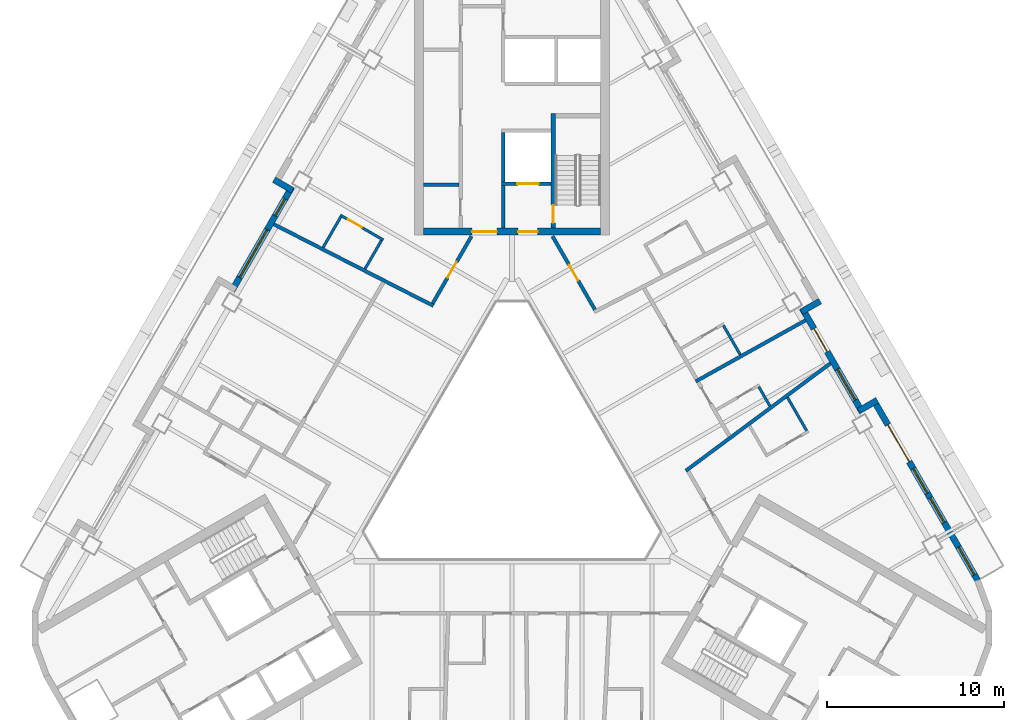
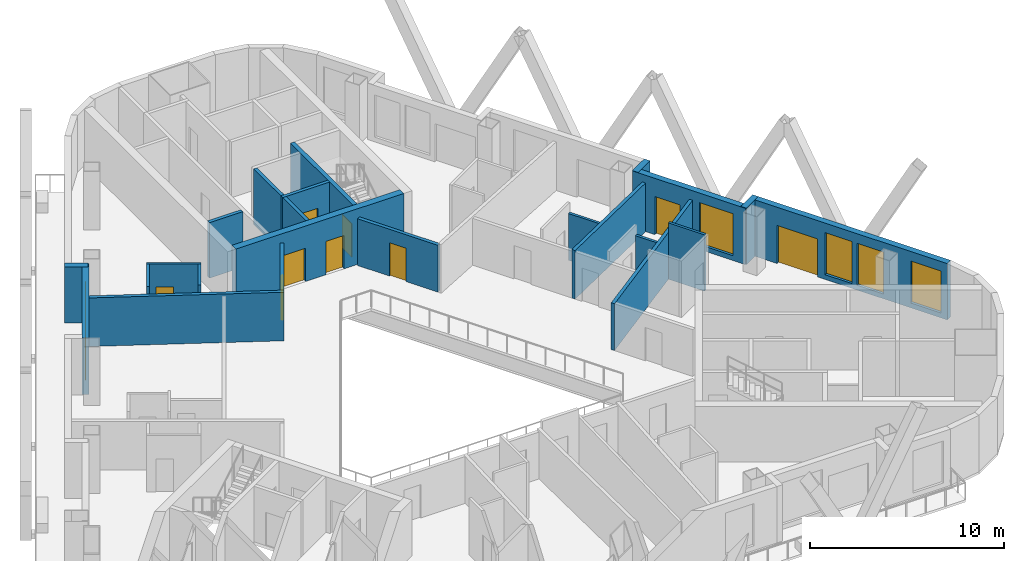
# One storey, part 6 of 14: 23 walls, 9 doors, 6 windows, 15 openings.
"""IFC4 building model written with IfcOpenShell, lengths in metres."""

from ifc_helpers import new_model, si_unit, direction, frame, frame_2d, origin, place, context, subcontext, project, spatial, rectangle, extrude, material, layer, layer_set, type_object, element, fill, save


model = new_model("IFC4")

# Units and contexts
model_context = context("Model", 3, precision=1e-05, world=origin(), true_north=direction((0.0, 1.0)))
body_context = subcontext(model_context, "Body", "Model", "MODEL_VIEW")
ifc_project = project(units=[si_unit("LENGTHUNIT", "METRE"), si_unit("AREAUNIT", "SQUARE_METRE"), si_unit("VOLUMEUNIT", "CUBIC_METRE"), si_unit("PLANEANGLEUNIT", "RADIAN"), si_unit("MASSUNIT", "GRAM", prefix="KILO")], contexts=[model_context])

# Site, building, storey
site_placement = place(None, origin())
site = spatial("IfcSite", under=ifc_project, at=site_placement, CompositionType="ELEMENT")
building_placement = place(site_placement, origin())
building = spatial("IfcBuilding", under=site, at=building_placement, Name="Apuvela Tower Hotel", CompositionType="ELEMENT")
storey_placement = place(building_placement, frame((0.0, 0.0, 168.800048828125)))
storey = spatial("IfcBuildingStorey", under=building, at=storey_placement, Name="L40", CompositionType="ELEMENT", Elevation=168.800048828125)

# Wall, openings, doors
ifc_material_1 = material(Name="Concrete C50/60", Category="concrete")
ifc_layer_1 = layer(ifc_material_1, 0.39990234375)
ifc_layer_set_1 = layer_set([ifc_layer_1], Name="COR-WALL-CORE-400")
wall_type_1 = type_object("IfcWallType", Name="COR-WALL-CORE-400", PredefinedType="SHEAR", material=ifc_layer_set_1)
wall_1_placement = place(storey_placement, frame((5.0, 13.10009765625, 0.0), z_axis=(0.0, 0.0, 1.0), x_axis=(-1.0, 0.0, 0.0)))
wall_1 = element("IfcWall", 1, at=wall_1_placement, inside=storey, type_object=wall_type_1, Name="Core wall N", PredefinedType="SHEAR", context=body_context, shape_type="SweptSolid", body=[
    extrude(rectangle(XDim=10.0, YDim=0.39990234375, at=frame_2d((5.0, 0.0))), origin(), (0.0, 0.0, 1.0), 3.5),
])
opening_1_placement = place(wall_1_placement, frame((3.550048828125, 0.0, 0.0)))
opening_1 = element("IfcOpeningElement", 2, at=opening_1_placement, cuts=wall_1, Name="Opening N-FD", PredefinedType="OPENING", context=body_context, shape_type="SweptSolid", body=[
    extrude(rectangle(XDim=1.10009765625, YDim=2.10009765625, at=frame_2d((0.550048828125, 1.050048828125))), frame((0.0, 0.2099609375, 0.0), z_axis=(0.0, -1.0, 0.0), x_axis=(1.0, 0.0, 0.0)), (0.0, 0.0, 1.0), 0.419921875),
])
opening_2_placement = place(wall_1_placement, frame((5.85009765625, 0.0, 0.0)))
opening_2 = element("IfcOpeningElement", 3, at=opening_2_placement, cuts=wall_1, Name="Opening N-GD", PredefinedType="OPENING", context=body_context, shape_type="SweptSolid", body=[
    extrude(rectangle(XDim=1.39990234375, YDim=2.10009765625, at=frame_2d((0.699951171875, 1.050048828125))), frame((0.0, 0.2099609375, 0.0), z_axis=(0.0, -1.0, 0.0), x_axis=(1.0, 0.0, 0.0)), (0.0, 0.0, 1.0), 0.419921875),
])
ifc_material_2 = material(Name="Steel fire door, powder coated", Category="steel")
door_type_1 = type_object("IfcDoorType", Name="COR-FD-1100", OperationType="NOTDEFINED", PredefinedType="DOOR", material=ifc_material_2)
door_1_placement = place(opening_1_placement, frame((1.10009765625, 0.0, 0.0), z_axis=(0.0, 0.0, 1.0), x_axis=(-1.0, 0.0, 0.0)))
door_1 = element("IfcDoor", 4, at=door_1_placement, inside=storey, type_object=door_type_1, Name="Firefighting lobby door N-FD", OperationType="SINGLE_SWING_LEFT", OverallHeight=2.10009765625, OverallWidth=1.10009765625, PredefinedType="DOOR", context=body_context, shape_type="SweptSolid", body=[
    extrude(rectangle(XDim=1.10009765625, YDim=2.10009765625, at=frame_2d((0.550048828125, 1.050048828125))), frame((0.0, 0.02490234375, 0.0), z_axis=(0.0, -1.0, 0.0), x_axis=(1.0, 0.0, 0.0)), (0.0, 0.0, 1.0), 0.050048828125),
])
fill(opening_1, door_1)
ifc_material_3 = material(Name="Glazed steel fire door", Category="steel")
door_type_2 = type_object("IfcDoorType", Name="COR-GD-1400", OperationType="DOUBLE_DOOR_SINGLE_SWING", PredefinedType="DOOR", material=ifc_material_3)
door_2_placement = place(opening_2_placement, frame((1.39990234375, 0.0, 0.0), z_axis=(0.0, 0.0, 1.0), x_axis=(-1.0, 0.0, 0.0)))
door_2 = element("IfcDoor", 5, at=door_2_placement, inside=storey, type_object=door_type_2, Name="Lift lobby door N-GD", OperationType="DOUBLE_DOOR_SINGLE_SWING", OverallHeight=2.10009765625, OverallWidth=1.39990234375, PredefinedType="DOOR", context=body_context, shape_type="SweptSolid", body=[
    extrude(rectangle(XDim=1.39990234375, YDim=2.10009765625, at=frame_2d((0.699951171875, 1.050048828125))), frame((0.0, 0.02490234375, 0.0), z_axis=(0.0, -1.0, 0.0), x_axis=(1.0, 0.0, 0.0)), (0.0, 0.0, 1.0), 0.050048828125),
])
fill(opening_2, door_2)

# Wall, opening, door
ifc_layer_2 = layer(ifc_material_1, 0.199951171875)
ifc_layer_set_2 = layer_set([ifc_layer_2], Name="COR-WALL-SHAFT-200")
wall_type_2 = type_object("IfcWallType", Name="COR-WALL-SHAFT-200", PredefinedType="SHEAR", material=ifc_layer_set_2)
wall_2_placement = place(storey_placement, frame((2.199951171875, 15.800048828125, 0.0), z_axis=(0.0, 0.0, 1.0), x_axis=(-1.0, 0.0, 0.0)))
wall_2 = element("IfcWall", 6, at=wall_2_placement, inside=storey, type_object=wall_type_2, Name="Shaft wall N", PredefinedType="SHEAR", context=body_context, shape_type="SweptSolid", body=[
    extrude(rectangle(XDim=2.800048828125, YDim=0.199951171875, at=frame_2d((1.39990234375, 0.0))), origin(), (0.0, 0.0, 1.0), 3.5),
])
opening_3_placement = place(wall_2_placement, frame((0.699951171875, 0.0, 0.0)))
opening_3 = element("IfcOpeningElement", 7, at=opening_3_placement, cuts=wall_2, Name="Opening N-LD-FS1", PredefinedType="OPENING", context=body_context, shape_type="SweptSolid", body=[
    extrude(rectangle(XDim=1.199951171875, YDim=2.10009765625, at=frame_2d((0.60009765625, 1.050048828125))), frame((0.0, 0.10986328125, 0.0), z_axis=(0.0, -1.0, 0.0), x_axis=(1.0, 0.0, 0.0)), (0.0, 0.0, 1.0), 0.219970703125),
])
ifc_material_4 = material(Name="Stainless steel lift landing door", Category="steel")
door_type_3 = type_object("IfcDoorType", Name="COR-LD-1200", OperationType="DOUBLE_DOOR_SLIDING", PredefinedType="DOOR", material=ifc_material_4)
door_3_placement = place(opening_3_placement, origin())
door_3 = element("IfcDoor", 8, at=door_3_placement, inside=storey, type_object=door_type_3, Name="Lift landing door N-LD-FS1", OperationType="DOUBLE_DOOR_SLIDING", OverallHeight=2.10009765625, OverallWidth=1.199951171875, PredefinedType="DOOR", context=body_context, shape_type="SweptSolid", body=[
    extrude(rectangle(XDim=1.199951171875, YDim=2.10009765625, at=frame_2d((0.60009765625, 1.050048828125))), frame((0.0, 0.02490234375, 0.0), z_axis=(0.0, -1.0, 0.0), x_axis=(1.0, 0.0, 0.0)), (0.0, 0.0, 1.0), 0.050048828125),
])
fill(opening_3, door_3)

# Walls
wall_3_placement = place(storey_placement, frame((-0.5, 15.89990234375, 0.0), z_axis=(0.0, 0.0, 1.0), x_axis=(0.0, 1.0, 0.0)))
element("IfcWall", 9, at=wall_3_placement, inside=storey, type_object=wall_type_2, Name="Shaft wall N", PredefinedType="SHEAR", context=body_context, shape_type="SweptSolid", body=[
    extrude(rectangle(XDim=2.800048828125, YDim=0.199951171875, at=frame_2d((1.39990234375, 0.0))), origin(), (0.0, 0.0, 1.0), 3.5),
])
wall_4_placement = place(storey_placement, frame((-0.5, 13.300048828125, 0.0), z_axis=(0.0, 0.0, 1.0), x_axis=(0.0, 1.0, 0.0)))
element("IfcWall", 10, at=wall_4_placement, inside=storey, type_object=wall_type_2, Name="Shaft wall N", PredefinedType="SHEAR", context=body_context, shape_type="SweptSolid", body=[
    extrude(rectangle(XDim=2.39990234375, YDim=0.199951171875, at=frame_2d((1.199951171875, 0.0))), origin(), (0.0, 0.0, 1.0), 3.5),
])
wall_5_placement = place(storey_placement, frame((-3.0, 15.739990234375, 0.0), z_axis=(0.0, 0.0, 1.0), x_axis=(-1.0, 0.0, 0.0)))
element("IfcWall", 11, at=wall_5_placement, inside=storey, type_object=wall_type_2, Name="Shaft wall N", PredefinedType="SHEAR", context=body_context, shape_type="SweptSolid", body=[
    extrude(rectangle(XDim=2.0, YDim=0.199951171875, at=frame_2d((1.0, 0.0))), origin(), (0.0, 0.0, 1.0), 3.5),
])

# Wall, opening, door
ifc_layer_3 = layer(ifc_material_1, 0.25)
ifc_layer_set_3 = layer_set([ifc_layer_3], Name="COR-WALL-STAIR-250")
wall_type_3 = type_object("IfcWallType", Name="COR-WALL-STAIR-250", PredefinedType="SHEAR", material=ifc_layer_set_3)
wall_6_placement = place(storey_placement, frame((2.324951171875, 13.300048828125, 0.0), z_axis=(0.0, 0.0, 1.0), x_axis=(0.0, 1.0, 0.0)))
wall_6 = element("IfcWall", 12, at=wall_6_placement, inside=storey, type_object=wall_type_3, Name="Stair wall N", PredefinedType="SHEAR", context=body_context, shape_type="SweptSolid", body=[
    extrude(rectangle(XDim=6.449951171875, YDim=0.25, at=frame_2d((3.22509765625, 0.0))), origin(), (0.0, 0.0, 1.0), 3.5),
])
opening_4_placement = place(wall_6_placement, frame((0.300048828125, 0.0, 0.0)))
opening_4 = element("IfcOpeningElement", 13, at=opening_4_placement, cuts=wall_6, Name="Opening N-SD", PredefinedType="OPENING", context=body_context, shape_type="SweptSolid", body=[
    extrude(rectangle(XDim=1.0, YDim=2.10009765625, at=frame_2d((0.5, 1.050048828125))), frame((0.0, 0.135009765625, 0.0), z_axis=(0.0, -1.0, 0.0), x_axis=(1.0, 0.0, 0.0)), (0.0, 0.0, 1.0), 0.27001953125),
])
door_type_4 = type_object("IfcDoorType", Name="COR-SD-1000", OperationType="NOTDEFINED", PredefinedType="DOOR", material=ifc_material_2)
door_4_placement = place(opening_4_placement, frame((1.0, 0.0, 0.0), z_axis=(0.0, 0.0, 1.0), x_axis=(-1.0, 0.0, 0.0)))
door_4 = element("IfcDoor", 14, at=door_4_placement, inside=storey, type_object=door_type_4, Name="Stair door N-SD", OperationType="SINGLE_SWING_LEFT", OverallHeight=2.10009765625, OverallWidth=1.0, PredefinedType="DOOR", context=body_context, shape_type="SweptSolid", body=[
    extrude(rectangle(XDim=1.0, YDim=2.10009765625, at=frame_2d((0.5, 1.050048828125))), frame((0.0, 0.02490234375, 0.0), z_axis=(0.0, -1.0, 0.0), x_axis=(1.0, 0.0, 0.0)), (0.0, 0.0, 1.0), 0.050048828125),
])
fill(opening_4, door_4)

# Wall
ifc_material_5 = material(Name="Concrete C40/50, dark pigmented precast panel", Category="concrete")
ifc_layer_4 = layer(ifc_material_5, 0.35009765625)
ifc_layer_set_4 = layer_set([ifc_layer_4], Name="ENV-WALL-350")
wall_type_4 = type_object("IfcWallType", Name="ENV-WALL-350", PredefinedType="SOLIDWALL", material=ifc_layer_set_4)
wall_7_placement = place(storey_placement, frame((-13.41259765625, 16.02880859375, 0.0), z_axis=(0.0, 0.0, 1.0), x_axis=(0.866005645448, -0.500034220881, 0.0)))
element("IfcWall", 15, at=wall_7_placement, inside=storey, type_object=wall_type_4, Name="External wall L40-02", PredefinedType="SOLIDWALL", context=body_context, shape_type="SweptSolid", body=[
    extrude(rectangle(XDim=1.22021484375, YDim=0.35009765625, at=frame_2d((0.610107421875, 0.0))), origin(), (0.0, 0.0, 1.0), 3.550048828125),
])

# Wall, openings, windows
wall_8_placement = place(storey_placement, frame((-12.408935546875, 15.616943359375, 0.0), z_axis=(0.0, 0.0, 1.0), x_axis=(-0.500003597184, -0.866023326939, 0.0)))
wall_8 = element("IfcWall", 16, at=wall_8_placement, inside=storey, type_object=wall_type_4, Name="External wall L40-03", PredefinedType="SOLIDWALL", context=body_context, shape_type="SweptSolid", body=[
    extrude(rectangle(XDim=6.740234375, YDim=0.35009765625, at=frame_2d((3.3701171875, 0.0))), origin(), (0.0, 0.0, 1.0), 3.550048828125),
])
opening_5_placement = place(wall_8_placement, frame((0.77001953125, 0.0, 0.300048828125)))
opening_5 = element("IfcOpeningElement", 17, at=opening_5_placement, cuts=wall_8, Name="Opening WN11", PredefinedType="OPENING", context=body_context, shape_type="SweptSolid", body=[
    extrude(rectangle(XDim=1.10009765625, YDim=2.64990234375, at=frame_2d((0.550048828125, 1.324951171875))), frame((0.0, 0.18505859375, 0.0), z_axis=(0.0, -1.0, 0.0), x_axis=(1.0, 0.0, 0.0)), (0.0, 0.0, 1.0), 0.3701171875),
])
opening_6_placement = place(wall_8_placement, frame((2.773681640625, 0.0, 0.300048828125)))
opening_6 = element("IfcOpeningElement", 18, at=opening_6_placement, cuts=wall_8, Name="Opening WN31", PredefinedType="OPENING", context=body_context, shape_type="SweptSolid", body=[
    extrude(rectangle(XDim=3.10009765625, YDim=2.64990234375, at=frame_2d((1.550048828125, 1.324951171875))), frame((0.0, 0.18505859375, 0.0), z_axis=(0.0, -1.0, 0.0), x_axis=(1.0, 0.0, 0.0)), (0.0, 0.0, 1.0), 0.3701171875),
])
ifc_material_6 = material(Name="Glass, dark tinted laminated insulated glazing unit", Category="glass")
window_type_1 = type_object("IfcWindowType", Name="ENV-WIN-1100x2650", PartitioningType="SINGLE_PANEL", PredefinedType="WINDOW", material=ifc_material_6)
window_1_placement = place(opening_5_placement, origin())
window_1 = element("IfcWindow", 19, at=window_1_placement, inside=storey, type_object=window_type_1, Name="Window WN11", OverallHeight=2.64990234375, OverallWidth=1.10009765625, PartitioningType="SINGLE_PANEL", PredefinedType="WINDOW", context=body_context, shape_type="SweptSolid", body=[
    extrude(rectangle(XDim=1.10009765625, YDim=2.64990234375, at=frame_2d((0.550048828125, 1.324951171875))), frame((0.0, 0.030029296875, 0.0), z_axis=(0.0, -1.0, 0.0), x_axis=(1.0, 0.0, 0.0)), (0.0, 0.0, 1.0), 0.06005859375),
])
fill(opening_5, window_1)
window_type_2 = type_object("IfcWindowType", Name="ENV-WIN-3100x2650", PartitioningType="SINGLE_PANEL", PredefinedType="WINDOW", material=ifc_material_6)
window_2_placement = place(opening_6_placement, origin())
window_2 = element("IfcWindow", 20, at=window_2_placement, inside=storey, type_object=window_type_2, Name="Window WN31", OverallHeight=2.64990234375, OverallWidth=3.10009765625, PartitioningType="SINGLE_PANEL", PredefinedType="WINDOW", context=body_context, shape_type="SweptSolid", body=[
    extrude(rectangle(XDim=3.10009765625, YDim=2.64990234375, at=frame_2d((1.550048828125, 1.324951171875))), frame((0.0, 0.030029296875, 0.0), z_axis=(0.0, -1.0, 0.0), x_axis=(1.0, 0.0, 0.0)), (0.0, 0.0, 1.0), 0.06005859375),
])
fill(opening_6, window_2)

# Wall, openings, door, windows
wall_9_placement = place(storey_placement, frame((26.256591796875, -6.5673828125, 0.0), z_axis=(0.0, 0.0, 1.0), x_axis=(-0.500023526245, 0.866011820475, 0.0)))
wall_9 = element("IfcWall", 21, at=wall_9_placement, inside=storey, type_object=wall_type_4, Name="External wall L40-33", PredefinedType="SOLIDWALL", context=body_context, shape_type="SweptSolid", body=[
    extrude(rectangle(XDim=11.81591796875, YDim=0.35009765625, at=frame_2d((5.907958984375, 0.0))), origin(), (0.0, 0.0, 1.0), 3.550048828125),
])
opening_7_placement = place(wall_9_placement, frame((0.380126953125, 0.0, 0.300048828125)))
opening_7 = element("IfcOpeningElement", 22, at=opening_7_placement, cuts=wall_9, Name="Opening WN18", PredefinedType="OPENING", context=body_context, shape_type="SweptSolid", body=[
    extrude(rectangle(XDim=1.800048828125, YDim=2.64990234375, at=frame_2d((0.89990234375, 1.324951171875))), frame((0.0, 0.18505859375, 0.0), z_axis=(0.0, -1.0, 0.0), x_axis=(1.0, 0.0, 0.0)), (0.0, 0.0, 1.0), 0.3701171875),
])
opening_8_placement = place(wall_9_placement, frame((7.7412109375, 0.0, 0.0)))
opening_8 = element("IfcOpeningElement", 23, at=opening_8_placement, cuts=wall_9, Name="Opening BD24", PredefinedType="OPENING", context=body_context, shape_type="SweptSolid", body=[
    extrude(rectangle(XDim=2.39990234375, YDim=2.39990234375, at=frame_2d((1.199951171875, 1.199951171875))), frame((0.0, 0.18505859375, 0.0), z_axis=(0.0, -1.0, 0.0), x_axis=(1.0, 0.0, 0.0)), (0.0, 0.0, 1.0), 0.3701171875),
])
opening_9_placement = place(wall_9_placement, frame((3.791015625, 0.0, 0.300048828125)))
opening_9 = element("IfcOpeningElement", 24, at=opening_9_placement, cuts=wall_9, Name="Opening WN16", PredefinedType="OPENING", context=body_context, shape_type="SweptSolid", body=[
    extrude(rectangle(XDim=1.60009765625, YDim=2.64990234375, at=frame_2d((0.800048828125, 1.324951171875))), frame((0.0, 0.18505859375, 0.0), z_axis=(0.0, -1.0, 0.0), x_axis=(1.0, 0.0, 0.0)), (0.0, 0.0, 1.0), 0.3701171875),
])
opening_10_placement = place(wall_9_placement, frame((5.69091796875, 0.0, 0.300048828125)))
opening_10 = element("IfcOpeningElement", 25, at=opening_10_placement, cuts=wall_9, Name="Opening WN16", PredefinedType="OPENING", context=body_context, shape_type="SweptSolid", body=[
    extrude(rectangle(XDim=1.60009765625, YDim=2.64990234375, at=frame_2d((0.800048828125, 1.324951171875))), frame((0.0, 0.18505859375, 0.0), z_axis=(0.0, -1.0, 0.0), x_axis=(1.0, 0.0, 0.0)), (0.0, 0.0, 1.0), 0.3701171875),
])
ifc_material_7 = material(Name="Aluminium 6063-T6, dark bronze anodised frame with dark tinted laminated glass", Category="aluminium")
door_type_5 = type_object("IfcDoorType", Name="ENV-DOOR-BALCONY-2400x2400", OperationType="SLIDING_TO_LEFT", PredefinedType="DOOR", material=ifc_material_7)
door_5_placement = place(opening_8_placement, frame((2.39990234375, 0.0, 0.0), z_axis=(0.0, 0.0, 1.0), x_axis=(-1.0, 0.0, 0.0)))
door_5 = element("IfcDoor", 26, at=door_5_placement, inside=storey, type_object=door_type_5, Name="Balcony door BD24", OperationType="SLIDING_TO_LEFT", OverallHeight=2.39990234375, OverallWidth=2.39990234375, PredefinedType="DOOR", context=body_context, shape_type="SweptSolid", body=[
    extrude(rectangle(XDim=2.39990234375, YDim=2.39990234375, at=frame_2d((1.199951171875, 1.199951171875))), frame((0.0, 0.02490234375, 0.0), z_axis=(0.0, -1.0, 0.0), x_axis=(1.0, 0.0, 0.0)), (0.0, 0.0, 1.0), 0.050048828125),
])
fill(opening_8, door_5)
window_type_3 = type_object("IfcWindowType", Name="ENV-WIN-1600x2650", PartitioningType="SINGLE_PANEL", PredefinedType="WINDOW", material=ifc_material_6)
window_3_placement = place(opening_9_placement, origin())
window_3 = element("IfcWindow", 27, at=window_3_placement, inside=storey, type_object=window_type_3, Name="Window WN16", OverallHeight=2.64990234375, OverallWidth=1.60009765625, PartitioningType="SINGLE_PANEL", PredefinedType="WINDOW", context=body_context, shape_type="SweptSolid", body=[
    extrude(rectangle(XDim=1.60009765625, YDim=2.64990234375, at=frame_2d((0.800048828125, 1.324951171875))), frame((0.0, 0.030029296875, 0.0), z_axis=(0.0, -1.0, 0.0), x_axis=(1.0, 0.0, 0.0)), (0.0, 0.0, 1.0), 0.06005859375),
])
fill(opening_9, window_3)
window_4_placement = place(opening_10_placement, origin())
window_4 = element("IfcWindow", 28, at=window_4_placement, inside=storey, type_object=window_type_3, Name="Window WN16", OverallHeight=2.64990234375, OverallWidth=1.60009765625, PartitioningType="SINGLE_PANEL", PredefinedType="WINDOW", context=body_context, shape_type="SweptSolid", body=[
    extrude(rectangle(XDim=1.60009765625, YDim=2.64990234375, at=frame_2d((0.800048828125, 1.324951171875))), frame((0.0, 0.030029296875, 0.0), z_axis=(0.0, -1.0, 0.0), x_axis=(1.0, 0.0, 0.0)), (0.0, 0.0, 1.0), 0.06005859375),
])
fill(opening_10, window_4)
window_type_4 = type_object("IfcWindowType", Name="ENV-WIN-1800x2650", PartitioningType="SINGLE_PANEL", PredefinedType="WINDOW", material=ifc_material_6)
window_5_placement = place(opening_7_placement, origin())
window_5 = element("IfcWindow", 29, at=window_5_placement, inside=storey, type_object=window_type_4, Name="Window WN18", OverallHeight=2.64990234375, OverallWidth=1.800048828125, PartitioningType="SINGLE_PANEL", PredefinedType="WINDOW", context=body_context, shape_type="SweptSolid", body=[
    extrude(rectangle(XDim=1.800048828125, YDim=2.64990234375, at=frame_2d((0.89990234375, 1.324951171875))), frame((0.0, 0.030029296875, 0.0), z_axis=(0.0, -1.0, 0.0), x_axis=(1.0, 0.0, 0.0)), (0.0, 0.0, 1.0), 0.06005859375),
])
fill(opening_7, window_5)

# Wall
wall_10_placement = place(storey_placement, frame((20.587646484375, 3.601318359375, 0.0), z_axis=(0.0, 0.0, 1.0), x_axis=(-0.866005645448, -0.500034220881, 0.0)))
element("IfcWall", 30, at=wall_10_placement, inside=storey, type_object=wall_type_4, Name="External wall L40-34", PredefinedType="SOLIDWALL", context=body_context, shape_type="SweptSolid", body=[
    extrude(rectangle(XDim=1.22021484375, YDim=0.35009765625, at=frame_2d((0.610107421875, 0.0))), origin(), (0.0, 0.0, 1.0), 3.550048828125),
])

# Wall, openings, door, window
wall_11_placement = place(storey_placement, frame((19.72900390625, 2.93798828125, 0.0), z_axis=(0.0, 0.0, 1.0), x_axis=(-0.499976430342, 0.866039011305, 0.0)))
wall_11 = element("IfcWall", 31, at=wall_11_placement, inside=storey, type_object=wall_type_4, Name="External wall L40-35", PredefinedType="SOLIDWALL", context=body_context, shape_type="SweptSolid", body=[
    extrude(rectangle(XDim=6.739990234375, YDim=0.35009765625, at=frame_2d((3.3701171875, 0.0))), origin(), (0.0, 0.0, 1.0), 3.550048828125),
])
opening_11_placement = place(wall_11_placement, frame((0.77001953125, 0.0, 0.300048828125)))
opening_11 = element("IfcOpeningElement", 32, at=opening_11_placement, cuts=wall_11, Name="Opening WN20", PredefinedType="OPENING", context=body_context, shape_type="SweptSolid", body=[
    extrude(rectangle(XDim=2.0, YDim=2.64990234375, at=frame_2d((1.0, 1.324951171875))), frame((0.0, 0.18505859375, 0.0), z_axis=(0.0, -1.0, 0.0), x_axis=(1.0, 0.0, 0.0)), (0.0, 0.0, 1.0), 0.3701171875),
])
opening_12_placement = place(wall_11_placement, frame((3.9169921875, 0.0, 0.0)))
opening_12 = element("IfcOpeningElement", 33, at=opening_12_placement, cuts=wall_11, Name="Opening BD15", PredefinedType="OPENING", context=body_context, shape_type="SweptSolid", body=[
    extrude(rectangle(XDim=1.5, YDim=2.39990234375, at=frame_2d((0.75, 1.199951171875))), frame((0.0, 0.18505859375, 0.0), z_axis=(0.0, -1.0, 0.0), x_axis=(1.0, 0.0, 0.0)), (0.0, 0.0, 1.0), 0.3701171875),
])
door_type_6 = type_object("IfcDoorType", Name="ENV-DOOR-BALCONY-1500x2400", OperationType="SLIDING_TO_LEFT", PredefinedType="DOOR", material=ifc_material_7)
door_6_placement = place(opening_12_placement, frame((1.5, 0.0, 0.0), z_axis=(0.0, 0.0, 1.0), x_axis=(-1.0, 0.0, 0.0)))
door_6 = element("IfcDoor", 34, at=door_6_placement, inside=storey, type_object=door_type_6, Name="Balcony door BD15", OperationType="SLIDING_TO_LEFT", OverallHeight=2.39990234375, OverallWidth=1.5, PredefinedType="DOOR", context=body_context, shape_type="SweptSolid", body=[
    extrude(rectangle(XDim=1.5, YDim=2.39990234375, at=frame_2d((0.75, 1.199951171875))), frame((0.0, 0.02490234375, 0.0), z_axis=(0.0, -1.0, 0.0), x_axis=(1.0, 0.0, 0.0)), (0.0, 0.0, 1.0), 0.050048828125),
])
fill(opening_12, door_6)
window_type_5 = type_object("IfcWindowType", Name="ENV-WIN-2000x2650", PartitioningType="SINGLE_PANEL", PredefinedType="WINDOW", material=ifc_material_6)
window_6_placement = place(opening_11_placement, origin())
window_6 = element("IfcWindow", 35, at=window_6_placement, inside=storey, type_object=window_type_5, Name="Window WN20", OverallHeight=2.64990234375, OverallWidth=2.0, PartitioningType="SINGLE_PANEL", PredefinedType="WINDOW", context=body_context, shape_type="SweptSolid", body=[
    extrude(rectangle(XDim=2.0, YDim=2.64990234375, at=frame_2d((1.0, 1.324951171875))), frame((0.0, 0.030029296875, 0.0), z_axis=(0.0, -1.0, 0.0), x_axis=(1.0, 0.0, 0.0)), (0.0, 0.0, 1.0), 0.06005859375),
])
fill(opening_11, window_6)

# Walls
wall_12_placement = place(storey_placement, frame((16.305908203125, 8.5771484375, 0.0), z_axis=(0.0, 0.0, 1.0), x_axis=(0.866092288191, 0.499884134912, 0.0)))
element("IfcWall", 36, at=wall_12_placement, inside=storey, type_object=wall_type_4, Name="External wall L40-36", PredefinedType="SOLIDWALL", context=body_context, shape_type="SweptSolid", body=[
    extrude(rectangle(XDim=1.219970703125, YDim=0.35009765625, at=frame_2d((0.60986328125, 0.0))), origin(), (0.0, 0.0, 1.0), 3.550048828125),
])
ifc_material_8 = material(Name="Gypsum board partition on twin steel stud", Category="steel")
ifc_layer_5 = layer(ifc_material_8, 0.199951171875)
ifc_layer_set_5 = layer_set([ifc_layer_5], Name="GST-PW1")
wall_type_5 = type_object("IfcWallType", Name="GST-PW1", PredefinedType="PARTITIONING", material=ifc_layer_set_5)
wall_13_placement = place(storey_placement, frame((17.944580078125, 5.6787109375, 0.0), z_axis=(0.0, 0.0, 1.0), x_axis=(-0.802677042984, -0.596413920584, 0.0)))
element("IfcWall", 37, at=wall_13_placement, inside=storey, type_object=wall_type_5, Name="L40 partition 04", PredefinedType="PARTITIONING", context=body_context, shape_type="SweptSolid", body=[
    extrude(rectangle(XDim=10.147216796875, YDim=0.199951171875, at=frame_2d((5.07373046875, 0.0))), origin(), (0.0, 0.0, 1.0), 2.949951171875),
])
wall_14_placement = place(storey_placement, frame((16.543212890625, 8.1064453125, 0.0), z_axis=(0.0, 0.0, 1.0), x_axis=(-0.873587451419, -0.486667201199, 0.0)))
element("IfcWall", 38, at=wall_14_placement, inside=storey, type_object=wall_type_5, Name="L40 partition 05", PredefinedType="PARTITIONING", context=body_context, shape_type="SweptSolid", body=[
    extrude(rectangle(XDim=7.080810546875, YDim=0.199951171875, at=frame_2d((3.54052734375, 0.0))), origin(), (0.0, 0.0, 1.0), 3.06005859375),
])
wall_15_placement = place(storey_placement, frame((-13.419677734375, 13.5166015625, 0.0), z_axis=(0.0, 0.0, 1.0), x_axis=(0.890385665103, -0.455206950056, 0.0)))
element("IfcWall", 39, at=wall_15_placement, inside=storey, type_object=wall_type_5, Name="L40 partition 07", PredefinedType="PARTITIONING", context=body_context, shape_type="SweptSolid", body=[
    extrude(rectangle(XDim=10.09326171875, YDim=0.199951171875, at=frame_2d((5.046630859375, 0.0))), origin(), (0.0, 0.0, 1.0), 3.06005859375),
])

# Wall, opening, door
ifc_material_9 = material(Name="Gypsum board corridor wall on twin steel stud, acoustic", Category="steel")
ifc_layer_6 = layer(ifc_material_9, 0.199951171875)
ifc_layer_set_6 = layer_set([ifc_layer_6], Name="GST-PW2")
wall_type_6 = type_object("IfcWallType", Name="GST-PW2", PredefinedType="PARTITIONING", material=ifc_layer_set_6)
wall_16_placement = place(storey_placement, frame((2.280517578125, 12.85009765625, 0.0), z_axis=(0.0, 0.0, 1.0), x_axis=(0.499981649923, -0.866035997947, 0.0)))
wall_16 = element("IfcWall", 40, at=wall_16_placement, inside=storey, type_object=wall_type_6, Name="L40 partition 33", PredefinedType="PARTITIONING", context=body_context, shape_type="SweptSolid", body=[
    extrude(rectangle(XDim=4.783447265625, YDim=0.199951171875, at=frame_2d((2.3916015625, 0.0))), origin(), (0.0, 0.0, 1.0), 2.949951171875),
])
opening_13_placement = place(wall_16_placement, frame((1.8916015625, 0.0, 0.0)))
opening_13 = element("IfcOpeningElement", 41, at=opening_13_placement, cuts=wall_16, Name="Opening GD15-16", PredefinedType="OPENING", context=body_context, shape_type="SweptSolid", body=[
    extrude(rectangle(XDim=1.0, YDim=2.10009765625, at=frame_2d((0.5, 1.050048828125))), frame((0.0, 0.10986328125, 0.0), z_axis=(0.0, -1.0, 0.0), x_axis=(1.0, 0.0, 0.0)), (0.0, 0.0, 1.0), 0.219970703125),
])
ifc_material_10 = material(Name="Timber door leaf in steel frame", Category="steel")
door_type_7 = type_object("IfcDoorType", Name="GST-D1", OperationType="NOTDEFINED", PredefinedType="DOOR", material=ifc_material_10)
door_7_placement = place(opening_13_placement, origin())
door_7 = element("IfcDoor", 42, at=door_7_placement, inside=storey, type_object=door_type_7, Name="Door L40-16", OperationType="SINGLE_SWING_RIGHT", OverallHeight=2.10009765625, OverallWidth=1.0, PredefinedType="DOOR", context=body_context, shape_type="SweptSolid", body=[
    extrude(rectangle(XDim=1.0, YDim=2.10009765625, at=frame_2d((0.5, 1.050048828125))), frame((0.0, 0.02490234375, 0.0), z_axis=(0.0, -1.0, 0.0), x_axis=(1.0, 0.0, 0.0)), (0.0, 0.0, 1.0), 0.050048828125),
])
fill(opening_13, door_7)

wall_17_placement = place(storey_placement, frame((-4.471923828125, 9.05419921875, 0.0), z_axis=(0.0, 0.0, 1.0), x_axis=(0.499973180286, 0.8660408876, 0.0)))
wall_17 = element("IfcWall", 43, at=wall_17_placement, inside=storey, type_object=wall_type_6, Name="L40 partition 37", PredefinedType="PARTITIONING", context=body_context, shape_type="SweptSolid", body=[
    extrude(rectangle(XDim=4.383056640625, YDim=0.199951171875, at=frame_2d((2.19140625, 0.0))), origin(), (0.0, 0.0, 1.0), 2.949951171875),
])
opening_14_placement = place(wall_17_placement, frame((1.69140625, 0.0, 0.0)))
opening_14 = element("IfcOpeningElement", 44, at=opening_14_placement, cuts=wall_17, Name="Opening GD15-18", PredefinedType="OPENING", context=body_context, shape_type="SweptSolid", body=[
    extrude(rectangle(XDim=1.0, YDim=2.10009765625, at=frame_2d((0.5, 1.050048828125))), frame((0.0, 0.10986328125, 0.0), z_axis=(0.0, -1.0, 0.0), x_axis=(1.0, 0.0, 0.0)), (0.0, 0.0, 1.0), 0.219970703125),
])
door_8_placement = place(opening_14_placement, origin())
door_8 = element("IfcDoor", 45, at=door_8_placement, inside=storey, type_object=door_type_7, Name="Door L40-18", OperationType="SINGLE_SWING_LEFT", OverallHeight=2.10009765625, OverallWidth=1.0, PredefinedType="DOOR", context=body_context, shape_type="SweptSolid", body=[
    extrude(rectangle(XDim=1.0, YDim=2.10009765625, at=frame_2d((0.5, 1.050048828125))), frame((0.0, 0.02490234375, 0.0), z_axis=(0.0, -1.0, 0.0), x_axis=(1.0, 0.0, 0.0)), (0.0, 0.0, 1.0), 0.050048828125),
])
fill(opening_14, door_8)

# Walls
ifc_material_11 = material(Name="Moisture-resistant gypsum board wet wall on steel stud", Category="steel")
ifc_layer_7 = layer(ifc_material_11, 0.14990234375)
ifc_layer_set_7 = layer_set([ifc_layer_7], Name="GST-PW3")
wall_type_7 = type_object("IfcWallType", Name="GST-PW3", PredefinedType="PARTITIONING", material=ifc_layer_set_7)
wall_18_placement = place(storey_placement, frame((16.609619140625, 1.881591796875, 0.0), z_axis=(0.0, 0.0, 1.0), x_axis=(-0.500018419339, 0.866014769113, 0.0)))
element("IfcWall", 46, at=wall_18_placement, inside=storey, type_object=wall_type_7, Name="L40 partition 25", PredefinedType="PARTITIONING", context=body_context, shape_type="SweptSolid", body=[
    extrude(rectangle(XDim=2.166015625, YDim=0.14990234375, at=frame_2d((1.0830078125, 0.0))), origin(), (0.0, 0.0, 1.0), 3.550048828125),
])
wall_19_placement = place(storey_placement, frame((14.537109375, 3.271240234375, 0.0), z_axis=(0.0, 0.0, 1.0), x_axis=(-0.500037327496, 0.866003851672, 0.0)))
element("IfcWall", 47, at=wall_19_placement, inside=storey, type_object=wall_type_7, Name="L40 partition 29", PredefinedType="PARTITIONING", context=body_context, shape_type="SweptSolid", body=[
    extrude(rectangle(XDim=1.2529296875, YDim=0.14990234375, at=frame_2d((0.62646484375, 0.0))), origin(), (0.0, 0.0, 1.0), 2.949951171875),
])
wall_20_placement = place(storey_placement, frame((12.863037109375, 6.170654296875, 0.0), z_axis=(0.0, 0.0, 1.0), x_axis=(-0.499998034377, 0.866026538634, 0.0)))
element("IfcWall", 48, at=wall_20_placement, inside=storey, type_object=wall_type_7, Name="L40 partition 32", PredefinedType="PARTITIONING", context=body_context, shape_type="SweptSolid", body=[
    extrude(rectangle(XDim=1.8916015625, YDim=0.14990234375, at=frame_2d((0.94580078125, 0.0))), origin(), (0.0, 0.0, 1.0), 2.949951171875),
])

# Wall, opening, door
wall_21_placement = place(storey_placement, frame((-7.25390625, 12.6357421875, 0.0), z_axis=(0.0, 0.0, 1.0), x_axis=(-0.865996816683, 0.500049511043, 0.0)))
wall_21 = element("IfcWall", 49, at=wall_21_placement, inside=storey, type_object=wall_type_7, Name="L40 partition 38", PredefinedType="PARTITIONING", context=body_context, shape_type="SweptSolid", body=[
    extrude(rectangle(XDim=2.800048828125, YDim=0.14990234375, at=frame_2d((1.39990234375, 0.0))), origin(), (0.0, 0.0, 1.0), 3.550048828125),
])
opening_15_placement = place(wall_21_placement, frame((1.39990234375, 0.0, 0.0)))
opening_15 = element("IfcOpeningElement", 50, at=opening_15_placement, cuts=wall_21, Name="Opening GD15-17", PredefinedType="OPENING", context=body_context, shape_type="SweptSolid", body=[
    extrude(rectangle(XDim=0.89990234375, YDim=2.10009765625, at=frame_2d((0.449951171875, 1.050048828125))), frame((0.0, 0.0849609375, 0.0), z_axis=(0.0, -1.0, 0.0), x_axis=(1.0, 0.0, 0.0)), (0.0, 0.0, 1.0), 0.169921875),
])
door_type_8 = type_object("IfcDoorType", Name="GST-D2", OperationType="NOTDEFINED", PredefinedType="DOOR", material=ifc_material_10)
door_9_placement = place(opening_15_placement, origin())
door_9 = element("IfcDoor", 51, at=door_9_placement, inside=storey, type_object=door_type_8, Name="Door L40-17", OperationType="SINGLE_SWING_RIGHT", OverallHeight=2.10009765625, OverallWidth=0.89990234375, PredefinedType="DOOR", context=body_context, shape_type="SweptSolid", body=[
    extrude(rectangle(XDim=0.89990234375, YDim=2.10009765625, at=frame_2d((0.449951171875, 1.050048828125))), frame((0.0, 0.02490234375, 0.0), z_axis=(0.0, -1.0, 0.0), x_axis=(1.0, 0.0, 0.0)), (0.0, 0.0, 1.0), 0.050048828125),
])
fill(opening_15, door_9)

# Walls
wall_22_placement = place(storey_placement, frame((-9.6513671875, 13.933349609375, 0.0), z_axis=(0.0, 0.0, 1.0), x_axis=(-0.50001992892, -0.866013897511, 0.0)))
element("IfcWall", 52, at=wall_22_placement, inside=storey, type_object=wall_type_7, Name="L40 partition 39", PredefinedType="PARTITIONING", context=body_context, shape_type="SweptSolid", body=[
    extrude(rectangle(XDim=1.9892578125, YDim=0.14990234375, at=frame_2d((0.99462890625, 0.0))), origin(), (0.0, 0.0, 1.0), 3.550048828125),
])
wall_23_placement = place(storey_placement, frame((-7.3564453125, 12.6083984375, 0.0), z_axis=(0.0, 0.0, 1.0), x_axis=(-0.499935264145, -0.866062775822, 0.0)))
element("IfcWall", 53, at=wall_23_placement, inside=storey, type_object=wall_type_7, Name="L40 partition 40", PredefinedType="PARTITIONING", context=body_context, shape_type="SweptSolid", body=[
    extrude(rectangle(XDim=1.853759765625, YDim=0.14990234375, at=frame_2d((0.9267578125, 0.0))), origin(), (0.0, 0.0, 1.0), 3.550048828125),
])

save(model, "model.ifc")
